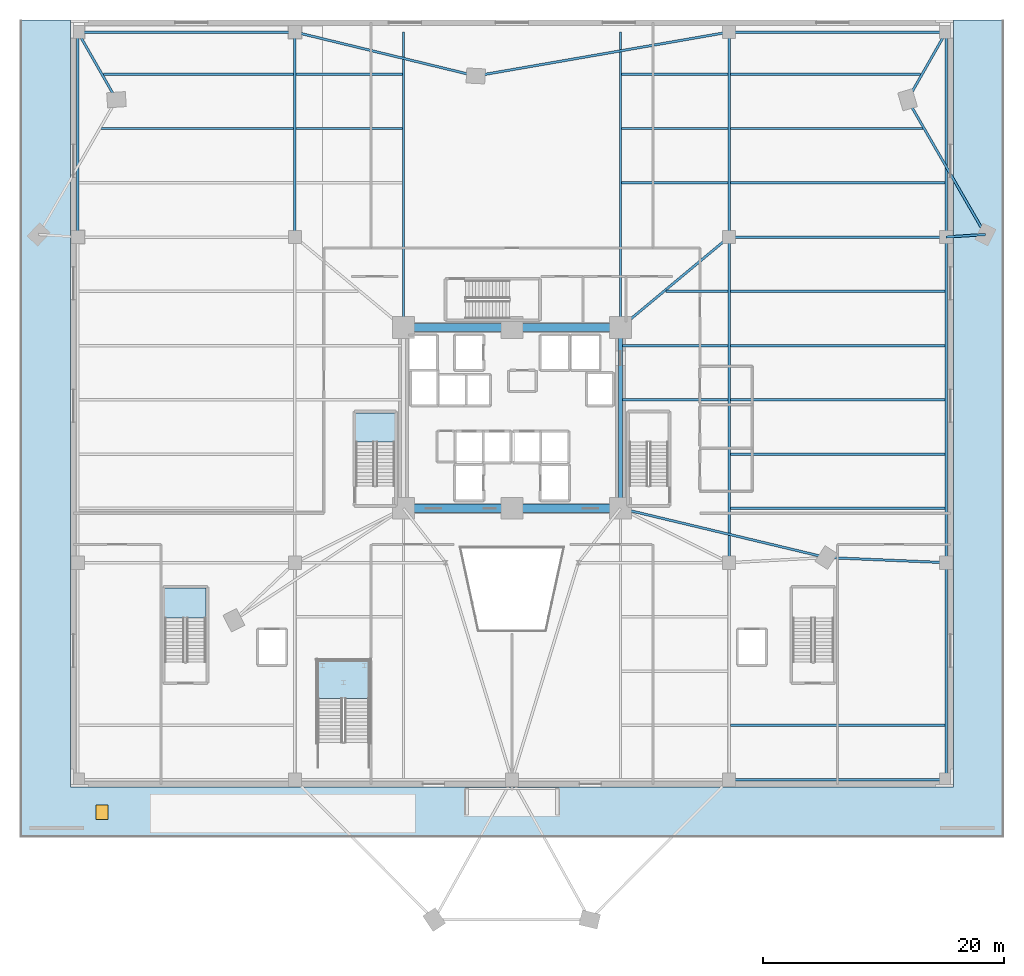
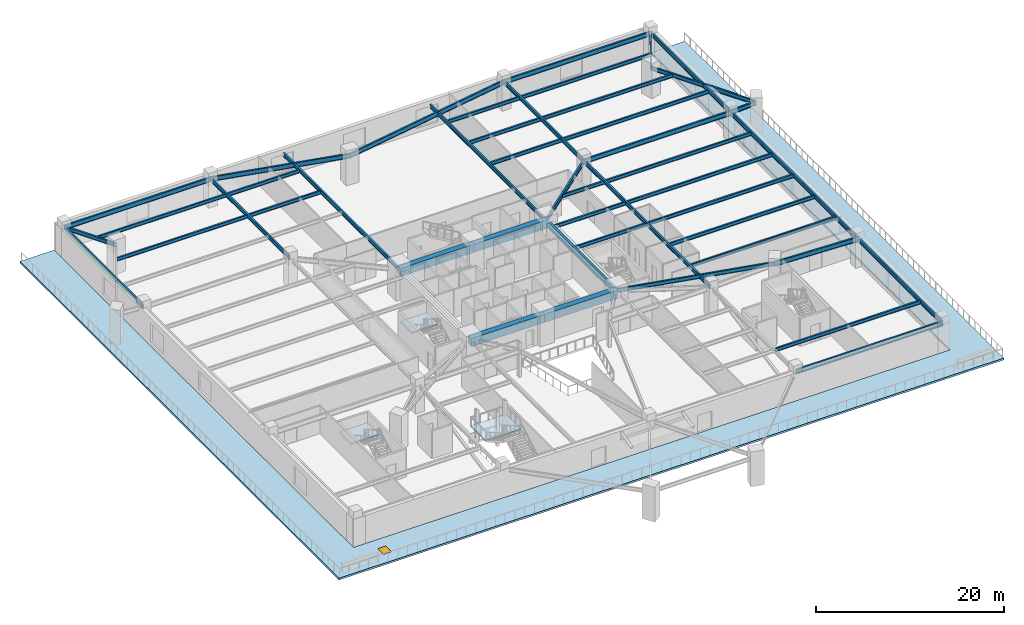
# One storey, part 4 of 19: 46 beams, 4 slabs, 1 door, 1 opening, 3 elements without a shape of their own.
"""IFC4 building model written with IfcOpenShell, lengths in metres."""

import ifcopenshell
import ifcopenshell.guid

model = None  # the IFC model being written
_history = None  # IfcOwnerHistory: only IFC2X3 demands one
_inside = {}  # id of a spatial element -> (the spatial element, [elements in it])
_under = {}  # id of a project, library or spatial element -> (it, [spatial elements below it])
_declared = {}  # id of a project -> (the project, [libraries it declares])
_typed = {}  # id of a type object -> (the type object, [elements of that type])
_made_of = {}  # id of a material, layer set ... -> (it, [elements and type objects made of it])


def new_model(schema):
    """Start an empty IFC model of exactly this schema.

    Asked for "IFC4X3", IfcOpenShell would pick the latest addendum, in which some entities
    have other attributes; the version numbers below select the first issue.
    IFC2X3 requires an IfcOwnerHistory on every rooted entity: one is made here for all.
    """
    global model, _history
    if schema == "IFC4X3":
        model = ifcopenshell.file(schema_version=(4, 3, 0, 0))
    else:
        model = ifcopenshell.file(schema=schema)
    _inside.clear()
    _under.clear()
    _declared.clear()
    _typed.clear()
    _made_of.clear()
    _history = None
    if model.schema == "IFC2X3":
        org = make("IfcOrganization", Name="unknown")
        user = make(
            "IfcPersonAndOrganization",
            ThePerson=make("IfcPerson", FamilyName="unknown"),
            TheOrganization=org,
        )
        app = make(
            "IfcApplication",
            ApplicationDeveloper=org,
            Version="unknown",
            ApplicationFullName="unknown",
            ApplicationIdentifier="unknown",
        )
        _history = make(
            "IfcOwnerHistory",
            OwningUser=user,
            OwningApplication=app,
            ChangeAction="ADDED",
            CreationDate=0,
        )
    return model


def make(cls, **values):
    """One entity of the class cls with the attributes given. An attribute that is None is left unset."""
    return model.create_entity(
        cls, **{name: value for name, value in values.items() if value is not None}
    )


def rooted(cls, **values):
    """An entity with a GlobalId (a new one), such as an element, a storey or a relation."""
    return make(cls, GlobalId=ifcopenshell.guid.new(), OwnerHistory=_history, **values)


def si_unit(unit_type, name, prefix=None):
    """IfcSIUnit, for example si_unit("LENGTHUNIT", "METRE", prefix="MILLI")."""
    return make("IfcSIUnit", UnitType=unit_type, Prefix=prefix, Name=name)


def assignment(units):
    """IfcUnitAssignment: the units of a project."""
    return None if units is None else make("IfcUnitAssignment", Units=units)


def point(xyz):
    """IfcCartesianPoint."""
    return None if xyz is None else make("IfcCartesianPoint", Coordinates=xyz)


def direction(xyz):
    """IfcDirection."""
    return None if xyz is None else make("IfcDirection", DirectionRatios=xyz)


def frame(location, z_axis=None, x_axis=None):
    """IfcAxis2Placement3D, a coordinate frame: its origin and axes. An axis left out is left unset."""
    return make(
        "IfcAxis2Placement3D",
        Location=point(location),
        Axis=direction(z_axis),
        RefDirection=direction(x_axis),
    )


def frame_2d(location, x_axis=None):
    """IfcAxis2Placement2D, a coordinate frame in the plane: its origin and x axis."""
    return make(
        "IfcAxis2Placement2D", Location=point(location), RefDirection=direction(x_axis)
    )


def origin():
    """The frame at (0, 0, 0) with its axes left unset."""
    return frame((0.0, 0.0, 0.0))


def origin_2d():
    """The frame at (0, 0) in the plane with its x axis left unset."""
    return frame_2d((0.0, 0.0))


def place(relative_to, where):
    """IfcLocalPlacement: puts the frame where relative to a parent placement (None: the world)."""
    return make(
        "IfcLocalPlacement", PlacementRelTo=relative_to, RelativePlacement=where
    )


def context(
    kind, dimensions, precision=None, world=None, true_north=None, identifier=None
):
    """IfcGeometricRepresentationContext, for example the 3D "Model" context."""
    return make(
        "IfcGeometricRepresentationContext",
        ContextIdentifier=identifier,
        ContextType=kind,
        CoordinateSpaceDimension=dimensions,
        Precision=precision,
        WorldCoordinateSystem=world,
        TrueNorth=true_north,
    )


def subcontext(parent, identifier, kind, view, scale=None):
    """IfcGeometricRepresentationSubContext, for example "Body" below "Model"."""
    return make(
        "IfcGeometricRepresentationSubContext",
        ContextIdentifier=identifier,
        ContextType=kind,
        ParentContext=parent,
        TargetScale=scale,
        TargetView=view,
    )


def project(units=None, contexts=None):
    """IfcProject with its units and contexts."""
    return rooted(
        "IfcProject",
        Name="project",
        RepresentationContexts=contexts,
        UnitsInContext=assignment(units),
    )


def spatial(cls, under=None, at=None, **own):
    """A site, building, storey or space (cls), placed at a placement, below another one or the project."""
    s = rooted(cls, ObjectPlacement=at, **own)
    if under is not None:
        _under.setdefault(under.id(), (under, []))[1].append(s)
    return s


def polyline(points):
    """IfcPolyline through the points."""
    return make("IfcPolyline", Points=[point(p) for p in points])


def profile(cls, at=None, kind="AREA", **sizes):
    """A parametric profile (cls). Its sizes go by their IFC names, for example OverallWidth=200.0."""
    return make(cls, ProfileType=kind, Position=at, **sizes)


def rectangle(**sizes):
    """IfcRectangleProfileDef."""
    return profile("IfcRectangleProfileDef", **sizes)


def i_section(**sizes):
    """IfcIShapeProfileDef."""
    return profile("IfcIShapeProfileDef", **sizes)


def outline(outer, holes=None, kind="AREA"):
    """IfcArbitraryClosedProfileDef: a profile drawn as a closed curve; with holes, ...WithVoids."""
    if holes is None:
        return make("IfcArbitraryClosedProfileDef", ProfileType=kind, OuterCurve=outer)
    return make(
        "IfcArbitraryProfileDefWithVoids",
        ProfileType=kind,
        OuterCurve=outer,
        InnerCurves=holes,
    )


def extrude(swept, where, along, depth):
    """IfcExtrudedAreaSolid: the profile swept, set in the frame where, extruded along a direction by depth."""
    return make(
        "IfcExtrudedAreaSolid",
        SweptArea=swept,
        Position=where,
        ExtrudedDirection=direction(along),
        Depth=depth,
    )


def shape(context_of_items, identifier, shape_type, items):
    """IfcShapeRepresentation: the items that make up one representation, for example the "Body"."""
    return make(
        "IfcShapeRepresentation",
        ContextOfItems=context_of_items,
        RepresentationIdentifier=identifier,
        RepresentationType=shape_type,
        Items=items,
    )


def source(mapping_origin, context_of_items, identifier, shape_type, items):
    """IfcRepresentationMap: a shape defined once, which mapped items show again and again."""
    return make(
        "IfcRepresentationMap",
        MappingOrigin=mapping_origin,
        MappedRepresentation=shape(context_of_items, identifier, shape_type, items),
    )


def transform(
    local_origin,
    x_axis=None,
    y_axis=None,
    z_axis=None,
    scale=None,
    scale2=None,
    scale3=None,
    uniform=True,
):
    """IfcCartesianTransformationOperator3D, or its non-uniform kind. x_axis, y_axis, z_axis: its Axis1, 2, 3."""
    if uniform:
        return make(
            "IfcCartesianTransformationOperator3D",
            Axis1=direction(x_axis),
            Axis2=direction(y_axis),
            LocalOrigin=point(local_origin),
            Scale=scale,
            Axis3=direction(z_axis),
        )
    return make(
        "IfcCartesianTransformationOperator3DnonUniform",
        Axis1=direction(x_axis),
        Axis2=direction(y_axis),
        LocalOrigin=point(local_origin),
        Scale=scale,
        Axis3=direction(z_axis),
        Scale2=scale2,
        Scale3=scale3,
    )


def mapped(mapping_source, mapping_target):
    """IfcMappedItem: shows the shape of a source again, moved by a transform."""
    return make(
        "IfcMappedItem", MappingSource=mapping_source, MappingTarget=mapping_target
    )


def material(Name=None, Category=None):
    """IfcMaterial."""
    return make("IfcMaterial", Name=Name, Category=Category)


def layer(
    of_material, thickness, ventilated=None, Name=None, Category=None, Priority=None
):
    """IfcMaterialLayer: one layer of a wall or slab, of a material (None: an air gap)."""
    return make(
        "IfcMaterialLayer",
        Material=of_material,
        LayerThickness=thickness,
        IsVentilated=ventilated,
        Name=Name,
        Category=Category,
        Priority=Priority,
    )


def layer_set(layers, Name=None):
    """IfcMaterialLayerSet."""
    return make("IfcMaterialLayerSet", MaterialLayers=layers, LayerSetName=Name)


def material_profile(
    of_material, cross_section, Name=None, Category=None, Priority=None
):
    """IfcMaterialProfile: a cross section and its material."""
    return make(
        "IfcMaterialProfile",
        Name=Name,
        Material=of_material,
        Profile=cross_section,
        Priority=Priority,
        Category=Category,
    )


def profile_set(profiles, Name=None, composite=None):
    """IfcMaterialProfileSet."""
    return make(
        "IfcMaterialProfileSet",
        Name=Name,
        MaterialProfiles=profiles,
        CompositeProfile=composite,
    )


def made_of(thing, what):
    """Note that an element or type object is made of a material, layer set ...; save() writes the relation."""
    if what is not None:
        _made_of.setdefault(what.id(), (what, []))[1].append(thing)
    return thing


def type_object(cls, material=None, **own):
    """A type object (cls), such as IfcWallType, which elements share."""
    return made_of(rooted(cls, **own), material)


def element(
    cls,
    number,
    at=None,
    inside=None,
    cuts=None,
    type_object=None,
    material=None,
    context=None,
    identifier="Body",
    shape_type=None,
    held_by="IfcProductDefinitionShape",
    body=None,
    shapes=None,
    **own,
):
    """One element of the class cls, such as IfcWall. Its Tag is "e" and its number.

    at: its placement. inside: the storey or other place that contains it. cuts: it is an
    opening in that element (IfcRelVoidsElement). A single representation is given by context,
    identifier, shape_type and body (its items); several are given by shapes. held_by: the class
    of the entity that holds the representations. save() writes the other relations.
    """
    e = rooted(cls, Tag="e%d" % number, ObjectPlacement=at, **own)
    if body is not None:
        shapes = [shape(context, identifier, shape_type, body)]
    if shapes is not None:
        e.Representation = make(held_by, Representations=shapes)
    if inside is not None:
        _inside.setdefault(inside.id(), (inside, []))[1].append(e)
    if cuts is not None:
        rooted(
            "IfcRelVoidsElement", RelatingBuildingElement=cuts, RelatedOpeningElement=e
        )
    if type_object is not None:
        _typed.setdefault(type_object.id(), (type_object, []))[1].append(e)
    return made_of(e, material)


def fill(opening, filler):
    """IfcRelFillsElement: the door or window that sits in an opening."""
    return rooted(
        "IfcRelFillsElement",
        RelatingOpeningElement=opening,
        RelatedBuildingElement=filler,
    )


def aggregate(whole, parts):
    """IfcRelAggregates: a whole, such as a stair, and the parts it consists of."""
    return rooted("IfcRelAggregates", RelatingObject=whole, RelatedObjects=parts)


def save(model, path):
    """Write the relations noted so far, then the file.

    IfcRelAggregates (storeys below a building ...), IfcRelContainedInSpatialStructure (elements
    in a storey), IfcRelDefinesByType, IfcRelAssociatesMaterial and IfcRelDeclares: one each for
    every whole, place, type object, material and project.
    """
    for whole, parts in _under.values():
        aggregate(whole, parts)
    for where, things in _inside.values():
        rooted(
            "IfcRelContainedInSpatialStructure",
            RelatedElements=things,
            RelatingStructure=where,
        )
    for kind, things in _typed.values():
        rooted("IfcRelDefinesByType", RelatedObjects=things, RelatingType=kind)
    for what, things in _made_of.values():
        rooted("IfcRelAssociatesMaterial", RelatedObjects=things, RelatingMaterial=what)
    for by, libraries in _declared.values():
        rooted("IfcRelDeclares", RelatingContext=by, RelatedDefinitions=libraries)
    model.write(path)


model = new_model("IFC4")

# Units and contexts
model_context = context("Model", 3, precision=1e-05, world=origin(), true_north=direction((0.0, 1.0)))
body_context = subcontext(model_context, "Body", "Model", "MODEL_VIEW")
ifc_project = project(units=[si_unit("LENGTHUNIT", "METRE"), si_unit("AREAUNIT", "SQUARE_METRE"), si_unit("VOLUMEUNIT", "CUBIC_METRE"), si_unit("PLANEANGLEUNIT", "RADIAN"), si_unit("MASSUNIT", "GRAM", prefix="KILO")], contexts=[model_context])

# Site, building, storey
site_placement = place(None, origin())
site = spatial("IfcSite", under=ifc_project, at=site_placement, CompositionType="ELEMENT")
building_placement = place(site_placement, origin())
building = spatial("IfcBuilding", under=site, at=building_placement, Name="Liaohun Quay Tower", CompositionType="ELEMENT")
storey_placement = place(building_placement, frame((0.0, 0.0, 18.89990234375)))
storey = spatial("IfcBuildingStorey", under=building, at=storey_placement, Name="L05", CompositionType="ELEMENT", Elevation=18.89990234375)

# Beams
ifc_material_1 = material(Name="Concrete C60", Category="concrete")
ifc_material_profile_1 = material_profile(ifc_material_1, rectangle(XDim=0.699951171875, YDim=1.050048828125, at=origin_2d()), Name="RC700x1050")
ifc_profile_set_1 = profile_set([ifc_material_profile_1], Name="Concrete C60")
beam_type_1 = type_object("IfcBeamType", Name="BM-CPL-1", PredefinedType="LINTEL", material=ifc_profile_set_1)
shared_shape_1 = source(origin(), body_context, "Body", "SweptSolid", [
    extrude(rectangle(XDim=0.699951171875, YDim=1.050048828125, at=origin_2d()), origin(), (0.0, 0.0, 1.0), 9.0),
])
for number, where, z_axis, x_axis, name in (
    (1, (51.0, 46.5, 3.0751953125), (1.0, 0.0, 0.0), (0.0, 1.0, 0.0), "L05 Core Coupling/Ring Beam CC1-CC2"),
    (2, (60.0, 46.5, 3.0751953125), (1.0, 0.0, 0.0), (0.0, 1.0, 0.0), "L05 Core Coupling/Ring Beam CC2-CC3"),
    (3, (69.0, 61.5, 3.0751953125), (-1.0, 0.0, 0.0), (0.0, -1.0, 0.0), "L05 Core Coupling/Ring Beam CC4-CC5"),
    (4, (60.0, 61.5, 3.0751953125), (-1.0, 0.0, 0.0), (0.0, -1.0, 0.0), "L05 Core Coupling/Ring Beam CC5-CC6"),
):
    element("IfcBeam", number, at=place(storey_placement, frame(where, z_axis=z_axis, x_axis=x_axis)), inside=storey, type_object=beam_type_1, Name=name, PredefinedType="LINTEL", context=body_context, shape_type="MappedRepresentation", body=[
        mapped(shared_shape_1, transform((0.0, 0.0, 0.0), x_axis=(1.0, 0.0, 0.0), y_axis=(0.0, 1.0, 0.0), z_axis=(0.0, 0.0, 1.0), scale=1.0)),
    ])
ifc_material_2 = material(Name="Steel Q355D", Category="steel")
ifc_material_profile_2 = material_profile(ifc_material_2, i_section(OverallWidth=0.300048828125, OverallDepth=0.800048828125, WebThickness=0.013916015625, FlangeThickness=0.02587890625, at=origin_2d()), Name="HN800x300x14x26")
ifc_profile_set_2 = profile_set([ifc_material_profile_2], Name="Steel Q355D")
beam_type_2 = type_object("IfcBeamType", Name="BM-RAD-M1", PredefinedType="BEAM", material=ifc_profile_set_2)
shared_shape_2 = source(origin(), body_context, "Body", "SweptSolid", [
    extrude(i_section(OverallWidth=0.300048828125, OverallDepth=0.800048828125, WebThickness=0.013916015625, FlangeThickness=0.02587890625, at=origin_2d()), origin(), (0.0, 0.0, 1.0), 15.0),
])
beam_1_placement = place(storey_placement, frame((69.0, 46.5, 3.2001953125), z_axis=(0.0, 1.0, 0.0), x_axis=(-1.0, 0.0, 0.0)))
element("IfcBeam", 5, at=beam_1_placement, inside=storey, type_object=beam_type_2, Name="L05 Core Coupling/Ring Beam CC3-CC4", PredefinedType="BEAM", context=body_context, shape_type="MappedRepresentation", body=[
    mapped(shared_shape_2, transform((0.0, 0.0, 0.0), x_axis=(1.0, 0.0, 0.0), y_axis=(0.0, 1.0, 0.0), z_axis=(0.0, 0.0, 1.0), scale=1.0)),
])
ifc_material_profile_3 = material_profile(ifc_material_2, i_section(OverallWidth=0.199951171875, OverallDepth=0.5, WebThickness=0.010009765625, FlangeThickness=0.01611328125, at=origin_2d()), Name="HN500x200x10x16")
ifc_profile_set_3 = profile_set([ifc_material_profile_3], Name="Steel Q355D")
beam_type_3 = type_object("IfcBeamType", Name="BM-POD-G3", PredefinedType="BEAM", material=ifc_profile_set_3)
shared_shape_3 = source(origin(), body_context, "Body", "SweptSolid", [
    extrude(i_section(OverallWidth=0.199951171875, OverallDepth=0.5, WebThickness=0.010009765625, FlangeThickness=0.01611328125, at=origin_2d()), origin(), (0.0, 0.0, 1.0), 27.0),
])
for number, where, z_axis, x_axis, name in (
    (6, (78.0, 42.0, 3.35009765625), (0.0, 1.0, 0.0), (-1.0, 0.0, 0.0), "L05 Primary Grid Girder PG08-PG12"),
    (7, (96.0, 42.0, 3.35009765625), (0.0, 1.0, 0.0), (-1.0, 0.0, 0.0), "L05 Primary Grid Girder PG09-PG13"),
):
    element("IfcBeam", number, at=place(storey_placement, frame(where, z_axis=z_axis, x_axis=x_axis)), inside=storey, type_object=beam_type_3, Name=name, PredefinedType="BEAM", context=body_context, shape_type="MappedRepresentation", body=[
        mapped(shared_shape_3, transform((0.0, 0.0, 0.0), x_axis=(1.0, 0.0, 0.0), y_axis=(0.0, 1.0, 0.0), z_axis=(0.0, 0.0, 1.0), scale=1.0)),
    ])
shared_shape_4 = source(origin(), body_context, "Body", "SweptSolid", [
    extrude(i_section(OverallWidth=0.199951171875, OverallDepth=0.5, WebThickness=0.010009765625, FlangeThickness=0.01611328125, at=origin_2d()), origin(), (0.0, 0.0, 1.0), 17.0),
])
for number, where, z_axis, x_axis, name in (
    (8, (24.0, 69.0, 3.35009765625), (0.0, 1.0, 0.0), (-1.0, 0.0, 0.0), "L05 Primary Grid Girder PG10-PG14"),
    (9, (42.0, 69.0, 3.35009765625), (0.0, 1.0, 0.0), (-1.0, 0.0, 0.0), "L05 Primary Grid Girder PG11-PG15"),
    (10, (78.0, 69.0, 3.35009765625), (0.0, 1.0, 0.0), (-1.0, 0.0, 0.0), "L05 Primary Grid Girder PG12-PG17"),
    (11, (96.0, 69.0, 3.35009765625), (0.0, 1.0, 0.0), (-1.0, 0.0, 0.0), "L05 Primary Grid Girder PG13-PG18"),
):
    element("IfcBeam", number, at=place(storey_placement, frame(where, z_axis=z_axis, x_axis=x_axis)), inside=storey, type_object=beam_type_3, Name=name, PredefinedType="BEAM", context=body_context, shape_type="MappedRepresentation", body=[
        mapped(shared_shape_4, transform((0.0, 0.0, 0.0), x_axis=(1.0, 0.0, 0.0), y_axis=(0.0, 1.0, 0.0), z_axis=(0.0, 0.0, 1.0), scale=1.0)),
    ])
shared_shape_5 = source(origin(), body_context, "Body", "SweptSolid", [
    extrude(i_section(OverallWidth=0.199951171875, OverallDepth=0.5, WebThickness=0.010009765625, FlangeThickness=0.01611328125, at=origin_2d()), origin(), (0.0, 0.0, 1.0), 18.0),
])
beam_2_placement = place(storey_placement, frame((96.0, 24.0, 3.35009765625), z_axis=(0.0, 1.0, 0.0), x_axis=(-1.0, 0.0, 0.0)))
element("IfcBeam", 12, at=beam_2_placement, inside=storey, type_object=beam_type_3, Name="L05 Primary Grid Girder PG05-PG09", PredefinedType="BEAM", context=body_context, shape_type="MappedRepresentation", body=[
    mapped(shared_shape_5, transform((0.0, 0.0, 0.0), x_axis=(1.0, 0.0, 0.0), y_axis=(0.0, 1.0, 0.0), z_axis=(0.0, 0.0, 1.0), scale=1.0)),
])
shared_shape_6 = source(origin(), body_context, "Body", "SweptSolid", [
    extrude(i_section(OverallWidth=0.199951171875, OverallDepth=0.5, WebThickness=0.010009765625, FlangeThickness=0.01611328125, at=origin_2d()), origin(), (0.0, 0.0, 1.0), 17.544189453125),
])
beam_3_placement = place(storey_placement, frame((86.06396484375, 42.423095703125, 3.35009765625), z_axis=(-0.972625403076, 0.23237862486, 0.0), x_axis=(-0.23237862486, -0.972625403076, 0.0)))
element("IfcBeam", 13, at=beam_3_placement, inside=storey, type_object=beam_type_3, Name="L05 Primary Grid Girder PC10-CC3", PredefinedType="BEAM", context=body_context, shape_type="MappedRepresentation", body=[
    mapped(shared_shape_6, transform((0.0, 0.0, 0.0), x_axis=(1.0, 0.0, 0.0), y_axis=(0.0, 1.0, 0.0), z_axis=(0.0, 0.0, 1.0), scale=1.0)),
])
shared_shape_7 = source(origin(), body_context, "Body", "SweptSolid", [
    extrude(i_section(OverallWidth=0.199951171875, OverallDepth=0.5, WebThickness=0.010009765625, FlangeThickness=0.01611328125, at=origin_2d()), origin(), (0.0, 0.0, 1.0), 6.45703125),
])
beam_4_placement = place(storey_placement, frame((27.198974609375, 80.39111328125, 3.35009765625), z_axis=(-0.49542619565, 0.868650035782, 0.0), x_axis=(-0.868650035782, -0.49542619565, 0.0)))
element("IfcBeam", 14, at=beam_4_placement, inside=storey, type_object=beam_type_3, Name="L05 Primary Grid Girder PC05-PG14", PredefinedType="BEAM", context=body_context, shape_type="MappedRepresentation", body=[
    mapped(shared_shape_7, transform((0.0, 0.0, 0.0), x_axis=(1.0, 0.0, 0.0), y_axis=(0.0, 1.0, 0.0), z_axis=(0.0, 0.0, 1.0), scale=1.0)),
])
shared_shape_8 = source(origin(), body_context, "Body", "SweptSolid", [
    extrude(i_section(OverallWidth=0.199951171875, OverallDepth=0.5, WebThickness=0.010009765625, FlangeThickness=0.01611328125, at=origin_2d()), origin(), (0.0, 0.0, 1.0), 6.462158203125),
])
beam_5_placement = place(storey_placement, frame((92.802978515625, 80.384033203125, 3.35009765625), z_axis=(0.494726480393, 0.869048738333, 0.0), x_axis=(-0.869048738333, 0.494726480393, 0.0)))
element("IfcBeam", 15, at=beam_5_placement, inside=storey, type_object=beam_type_3, Name="L05 Primary Grid Girder PC07-PG18", PredefinedType="BEAM", context=body_context, shape_type="MappedRepresentation", body=[
    mapped(shared_shape_8, transform((0.0, 0.0, 0.0), x_axis=(1.0, 0.0, 0.0), y_axis=(0.0, 1.0, 0.0), z_axis=(0.0, 0.0, 1.0), scale=1.0)),
])
shared_shape_9 = source(origin(), body_context, "Body", "SweptSolid", [
    extrude(i_section(OverallWidth=0.199951171875, OverallDepth=0.5, WebThickness=0.010009765625, FlangeThickness=0.01611328125, at=origin_2d()), origin(), (0.0, 0.0, 1.0), 3.262939453125),
])
beam_6_placement = place(storey_placement, frame((99.256103515625, 69.2119140625, 3.35009765625), z_axis=(-0.997888864182, -0.064944705264, 0.0), x_axis=(0.064944705264, -0.997888864182, 0.0)))
element("IfcBeam", 16, at=beam_6_placement, inside=storey, type_object=beam_type_3, Name="L05 Primary Grid Girder PC09-PG13", PredefinedType="BEAM", context=body_context, shape_type="MappedRepresentation", body=[
    mapped(shared_shape_9, transform((0.0, 0.0, 0.0), x_axis=(1.0, 0.0, 0.0), y_axis=(0.0, 1.0, 0.0), z_axis=(0.0, 0.0, 1.0), scale=1.0)),
])
shared_shape_10 = source(origin(), body_context, "Body", "SweptSolid", [
    extrude(i_section(OverallWidth=0.199951171875, OverallDepth=0.5, WebThickness=0.010009765625, FlangeThickness=0.01611328125, at=origin_2d()), origin(), (0.0, 0.0, 1.0), 12.90185546875),
])
beam_7_placement = place(storey_placement, frame((92.802978515625, 80.384033203125, 3.35009765625), z_axis=(0.500168512593, -0.865928091131, 0.0), x_axis=(0.865928091131, 0.500168512593, 0.0)))
element("IfcBeam", 17, at=beam_7_placement, inside=storey, type_object=beam_type_3, Name="L05 Primary Grid Girder PC07-PC09", PredefinedType="BEAM", context=body_context, shape_type="MappedRepresentation", body=[
    mapped(shared_shape_10, transform((0.0, 0.0, 0.0), x_axis=(1.0, 0.0, 0.0), y_axis=(0.0, 1.0, 0.0), z_axis=(0.0, 0.0, 1.0), scale=1.0)),
])
ifc_material_profile_4 = material_profile(ifc_material_2, i_section(OverallWidth=0.199951171875, OverallDepth=0.449951171875, WebThickness=0.009033203125, FlangeThickness=0.013916015625, at=origin_2d()), Name="HN450x200x9x14")
ifc_profile_set_4 = profile_set([ifc_material_profile_4], Name="Steel Q355D")
beam_type_4 = type_object("IfcBeamType", Name="BM-SEC-J1", PredefinedType="JOIST", material=ifc_profile_set_4)
shared_shape_11 = source(origin(), body_context, "Body", "SweptSolid", [
    extrude(i_section(OverallWidth=0.199951171875, OverallDepth=0.449951171875, WebThickness=0.009033203125, FlangeThickness=0.013916015625, at=origin_2d()), origin(), (0.0, 0.0, 1.0), 8.7998046875),
])
for number, where, z_axis, x_axis, name in (
    (18, (42.10009765625, 78.0, 3.375), (1.0, 0.0, 0.0), (0.0, 1.0, 0.0), "L05 Composite Floor Joist SJ-21"),
    (19, (42.10009765625, 82.5, 3.375), (1.0, 0.0, 0.0), (0.0, 1.0, 0.0), "L05 Composite Floor Joist SJ-22"),
    (20, (69.10009765625, 73.5, 3.375), (1.0, 0.0, 0.0), (0.0, 1.0, 0.0), "L05 Composite Floor Joist SJ-31"),
    (21, (69.10009765625, 78.0, 3.375), (1.0, 0.0, 0.0), (0.0, 1.0, 0.0), "L05 Composite Floor Joist SJ-32"),
    (22, (69.10009765625, 82.5, 3.375), (1.0, 0.0, 0.0), (0.0, 1.0, 0.0), "L05 Composite Floor Joist SJ-33"),
):
    element("IfcBeam", number, at=place(storey_placement, frame(where, z_axis=z_axis, x_axis=x_axis)), inside=storey, type_object=beam_type_4, Name=name, PredefinedType="JOIST", context=body_context, shape_type="MappedRepresentation", body=[
        mapped(shared_shape_11, transform((0.0, 0.0, 0.0), x_axis=(1.0, 0.0, 0.0), y_axis=(0.0, 1.0, 0.0), z_axis=(0.0, 0.0, 1.0), scale=1.0)),
    ])
shared_shape_12 = source(origin(), body_context, "Body", "SweptSolid", [
    extrude(i_section(OverallWidth=0.199951171875, OverallDepth=0.449951171875, WebThickness=0.009033203125, FlangeThickness=0.013916015625, at=origin_2d()), origin(), (0.0, 0.0, 1.0), 17.7998046875),
])
for number, where, z_axis, x_axis, name in (
    (23, (78.10009765625, 28.5, 3.375), (1.0, 0.0, 0.0), (0.0, 1.0, 0.0), "L05 Composite Floor Joist SJ-34"),
    (24, (78.10009765625, 46.5, 3.375), (1.0, 0.0, 0.0), (0.0, 1.0, 0.0), "L05 Composite Floor Joist SJ-37"),
    (25, (78.10009765625, 51.0, 3.375), (1.0, 0.0, 0.0), (0.0, 1.0, 0.0), "L05 Composite Floor Joist SJ-38"),
    (26, (78.10009765625, 55.5, 3.375), (1.0, 0.0, 0.0), (0.0, 1.0, 0.0), "L05 Composite Floor Joist SJ-39"),
    (27, (78.10009765625, 60.0, 3.375), (1.0, 0.0, 0.0), (0.0, 1.0, 0.0), "L05 Composite Floor Joist SJ-40"),
    (28, (78.10009765625, 64.5, 3.375), (1.0, 0.0, 0.0), (0.0, 1.0, 0.0), "L05 Composite Floor Joist SJ-41"),
    (29, (78.10009765625, 73.5, 3.375), (1.0, 0.0, 0.0), (0.0, 1.0, 0.0), "L05 Composite Floor Joist SJ-42"),
):
    element("IfcBeam", number, at=place(storey_placement, frame(where, z_axis=z_axis, x_axis=x_axis)), inside=storey, type_object=beam_type_4, Name=name, PredefinedType="JOIST", context=body_context, shape_type="MappedRepresentation", body=[
        mapped(shared_shape_12, transform((0.0, 0.0, 0.0), x_axis=(1.0, 0.0, 0.0), y_axis=(0.0, 1.0, 0.0), z_axis=(0.0, 0.0, 1.0), scale=1.0)),
    ])
shared_shape_13 = source(origin(), body_context, "Body", "SweptSolid", [
    extrude(i_section(OverallWidth=0.199951171875, OverallDepth=0.449951171875, WebThickness=0.009033203125, FlangeThickness=0.013916015625, at=origin_2d()), origin(), (0.0, 0.0, 1.0), 15.9658203125),
])
beam_8_placement = place(storey_placement, frame((25.93408203125, 78.0, 3.375), z_axis=(1.0, 0.0, 0.0), x_axis=(0.0, 1.0, 0.0)))
element("IfcBeam", 30, at=beam_8_placement, inside=storey, type_object=beam_type_4, Name="L05 Composite Floor Joist SJ-10", PredefinedType="JOIST", context=body_context, shape_type="MappedRepresentation", body=[
    mapped(shared_shape_13, transform((0.0, 0.0, 0.0), x_axis=(1.0, 0.0, 0.0), y_axis=(0.0, 1.0, 0.0), z_axis=(0.0, 0.0, 1.0), scale=1.0)),
])
shared_shape_14 = source(origin(), body_context, "Body", "SweptSolid", [
    extrude(i_section(OverallWidth=0.199951171875, OverallDepth=0.449951171875, WebThickness=0.009033203125, FlangeThickness=0.013916015625, at=origin_2d()), origin(), (0.0, 0.0, 1.0), 15.788818359375),
])
beam_9_placement = place(storey_placement, frame((26.111083984375, 82.5, 3.375), z_axis=(1.0, 0.0, 0.0), x_axis=(0.0, 1.0, 0.0)))
element("IfcBeam", 31, at=beam_9_placement, inside=storey, type_object=beam_type_4, Name="L05 Composite Floor Joist SJ-11", PredefinedType="JOIST", context=body_context, shape_type="MappedRepresentation", body=[
    mapped(shared_shape_14, transform((0.0, 0.0, 0.0), x_axis=(1.0, 0.0, 0.0), y_axis=(0.0, 1.0, 0.0), z_axis=(0.0, 0.0, 1.0), scale=1.0)),
])
shared_shape_15 = source(origin(), body_context, "Body", "SweptSolid", [
    extrude(i_section(OverallWidth=0.199951171875, OverallDepth=0.449951171875, WebThickness=0.009033203125, FlangeThickness=0.013916015625, at=origin_2d()), origin(), (0.0, 0.0, 1.0), 8.75),
])
for number, where, z_axis, x_axis, name in (
    (32, (69.14990234375, 55.5, 3.375), (1.0, 0.0, 0.0), (0.0, 1.0, 0.0), "L05 Composite Floor Joist SJ-28"),
    (33, (69.14990234375, 60.0, 3.375), (1.0, 0.0, 0.0), (0.0, 1.0, 0.0), "L05 Composite Floor Joist SJ-29"),
):
    element("IfcBeam", number, at=place(storey_placement, frame(where, z_axis=z_axis, x_axis=x_axis)), inside=storey, type_object=beam_type_4, Name=name, PredefinedType="JOIST", context=body_context, shape_type="MappedRepresentation", body=[
        mapped(shared_shape_15, transform((0.0, 0.0, 0.0), x_axis=(1.0, 0.0, 0.0), y_axis=(0.0, 1.0, 0.0), z_axis=(0.0, 0.0, 1.0), scale=1.0)),
    ])
shared_shape_16 = source(origin(), body_context, "Body", "SweptSolid", [
    extrude(i_section(OverallWidth=0.199951171875, OverallDepth=0.449951171875, WebThickness=0.009033203125, FlangeThickness=0.013916015625, at=origin_2d()), origin(), (0.0, 0.0, 1.0), 15.96484375),
])
beam_10_placement = place(storey_placement, frame((78.10009765625, 78.0, 3.375), z_axis=(1.0, 0.0, 0.0), x_axis=(0.0, 1.0, 0.0)))
element("IfcBeam", 34, at=beam_10_placement, inside=storey, type_object=beam_type_4, Name="L05 Composite Floor Joist SJ-43", PredefinedType="JOIST", context=body_context, shape_type="MappedRepresentation", body=[
    mapped(shared_shape_16, transform((0.0, 0.0, 0.0), x_axis=(1.0, 0.0, 0.0), y_axis=(0.0, 1.0, 0.0), z_axis=(0.0, 0.0, 1.0), scale=1.0)),
])
shared_shape_17 = source(origin(), body_context, "Body", "SweptSolid", [
    extrude(i_section(OverallWidth=0.199951171875, OverallDepth=0.449951171875, WebThickness=0.009033203125, FlangeThickness=0.013916015625, at=origin_2d()), origin(), (0.0, 0.0, 1.0), 15.7919921875),
])
beam_11_placement = place(storey_placement, frame((78.10009765625, 82.5, 3.375), z_axis=(1.0, 0.0, 0.0), x_axis=(0.0, 1.0, 0.0)))
element("IfcBeam", 35, at=beam_11_placement, inside=storey, type_object=beam_type_4, Name="L05 Composite Floor Joist SJ-44", PredefinedType="JOIST", context=body_context, shape_type="MappedRepresentation", body=[
    mapped(shared_shape_17, transform((0.0, 0.0, 0.0), x_axis=(1.0, 0.0, 0.0), y_axis=(0.0, 1.0, 0.0), z_axis=(0.0, 0.0, 1.0), scale=1.0)),
])
ifc_material_profile_5 = material_profile(ifc_material_2, i_section(OverallWidth=0.199951171875, OverallDepth=0.60009765625, WebThickness=0.010986328125, FlangeThickness=0.01708984375, at=origin_2d()), Name="HN600x200x11x17")
ifc_profile_set_5 = profile_set([ifc_material_profile_5], Name="Steel Q355D")
beam_type_5 = type_object("IfcBeamType", Name="BM-POD-G1", PredefinedType="BEAM", material=ifc_profile_set_5)
shared_shape_18 = source(origin(), body_context, "Body", "SweptSolid", [
    extrude(i_section(OverallWidth=0.199951171875, OverallDepth=0.60009765625, WebThickness=0.010986328125, FlangeThickness=0.01708984375, at=origin_2d()), origin(), (0.0, 0.0, 1.0), 18.0),
])
for number, where, z_axis, x_axis, name in (
    (36, (78.0, 24.0, 3.300048828125), (1.0, 0.0, 0.0), (0.0, 1.0, 0.0), "L05 Primary Grid Girder PG04-PG05"),
    (37, (78.0, 69.0, 3.300048828125), (1.0, 0.0, 0.0), (0.0, 1.0, 0.0), "L05 Primary Grid Girder PG12-PG13"),
    (38, (24.0, 86.0, 3.300048828125), (1.0, 0.0, 0.0), (0.0, 1.0, 0.0), "L05 Primary Grid Girder PG14-PG15"),
    (39, (78.0, 86.0, 3.300048828125), (1.0, 0.0, 0.0), (0.0, 1.0, 0.0), "L05 Primary Grid Girder PG17-PG18"),
):
    element("IfcBeam", number, at=place(storey_placement, frame(where, z_axis=z_axis, x_axis=x_axis)), inside=storey, type_object=beam_type_5, Name=name, PredefinedType="BEAM", context=body_context, shape_type="MappedRepresentation", body=[
        mapped(shared_shape_18, transform((0.0, 0.0, 0.0), x_axis=(1.0, 0.0, 0.0), y_axis=(0.0, 1.0, 0.0), z_axis=(0.0, 0.0, 1.0), scale=1.0)),
    ])
shared_shape_19 = source(origin(), body_context, "Body", "SweptSolid", [
    extrude(i_section(OverallWidth=0.199951171875, OverallDepth=0.60009765625, WebThickness=0.010986328125, FlangeThickness=0.01708984375, at=origin_2d()), origin(), (0.0, 0.0, 1.0), 9.945068359375),
])
beam_12_placement = place(storey_placement, frame((86.06396484375, 42.423095703125, 3.300048828125), z_axis=(0.999094620033, -0.042543392219, 0.0), x_axis=(0.042543392219, 0.999094620033, 0.0)))
element("IfcBeam", 40, at=beam_12_placement, inside=storey, type_object=beam_type_5, Name="L05 Primary Grid Girder PC10-PG09", PredefinedType="BEAM", context=body_context, shape_type="MappedRepresentation", body=[
    mapped(shared_shape_19, transform((0.0, 0.0, 0.0), x_axis=(1.0, 0.0, 0.0), y_axis=(0.0, 1.0, 0.0), z_axis=(0.0, 0.0, 1.0), scale=1.0)),
])
shared_shape_20 = source(origin(), body_context, "Body", "SweptSolid", [
    extrude(i_section(OverallWidth=0.199951171875, OverallDepth=0.60009765625, WebThickness=0.010986328125, FlangeThickness=0.01708984375, at=origin_2d()), origin(), (0.0, 0.0, 1.0), 11.71533203125),
])
beam_13_placement = place(storey_placement, frame((69.0, 61.5, 3.300048828125), z_axis=(0.768221279597, 0.640184399664, 0.0), x_axis=(-0.640184399664, 0.768221279597, 0.0)))
element("IfcBeam", 41, at=beam_13_placement, inside=storey, type_object=beam_type_5, Name="L05 Primary Grid Girder CC4-PG12", PredefinedType="BEAM", context=body_context, shape_type="MappedRepresentation", body=[
    mapped(shared_shape_20, transform((0.0, 0.0, 0.0), x_axis=(1.0, 0.0, 0.0), y_axis=(0.0, 1.0, 0.0), z_axis=(0.0, 0.0, 1.0), scale=1.0)),
])
shared_shape_21 = source(origin(), body_context, "Body", "SweptSolid", [
    extrude(i_section(OverallWidth=0.199951171875, OverallDepth=0.60009765625, WebThickness=0.010986328125, FlangeThickness=0.01708984375, at=origin_2d()), origin(), (0.0, 0.0, 1.0), 15.4306640625),
])
beam_14_placement = place(storey_placement, frame((42.0, 86.0, 3.300048828125), z_axis=(0.971780133719, -0.235888473032, 0.0), x_axis=(0.235888473032, 0.971780133719, 0.0)))
element("IfcBeam", 42, at=beam_14_placement, inside=storey, type_object=beam_type_5, Name="L05 Primary Grid Girder PG15-PC06", PredefinedType="BEAM", context=body_context, shape_type="MappedRepresentation", body=[
    mapped(shared_shape_21, transform((0.0, 0.0, 0.0), x_axis=(1.0, 0.0, 0.0), y_axis=(0.0, 1.0, 0.0), z_axis=(0.0, 0.0, 1.0), scale=1.0)),
])
shared_shape_22 = source(origin(), body_context, "Body", "SweptSolid", [
    extrude(i_section(OverallWidth=0.199951171875, OverallDepth=0.60009765625, WebThickness=0.010986328125, FlangeThickness=0.01708984375, at=origin_2d()), origin(), (0.0, 0.0, 1.0), 21.31787109375),
])
beam_15_placement = place(storey_placement, frame((56.9951171875, 82.360107421875, 3.300048828125), z_axis=(0.985315548274, 0.170743287801, 0.0), x_axis=(-0.170743287801, 0.985315548274, 0.0)))
element("IfcBeam", 43, at=beam_15_placement, inside=storey, type_object=beam_type_5, Name="L05 Primary Grid Girder PC06-PG17", PredefinedType="BEAM", context=body_context, shape_type="MappedRepresentation", body=[
    mapped(shared_shape_22, transform((0.0, 0.0, 0.0), x_axis=(1.0, 0.0, 0.0), y_axis=(0.0, 1.0, 0.0), z_axis=(0.0, 0.0, 1.0), scale=1.0)),
])
shared_shape_23 = source(origin(), body_context, "Body", "SweptSolid", [
    extrude(i_section(OverallWidth=0.199951171875, OverallDepth=0.449951171875, WebThickness=0.009033203125, FlangeThickness=0.013916015625, at=origin_2d()), origin(), (0.0, 0.0, 1.0), 5.143798828125),
])
beam_16_placement = place(storey_placement, frame((72.756103515625, 64.5, 3.375), z_axis=(1.0, 0.0, 0.0), x_axis=(0.0, 1.0, 0.0)))
element("IfcBeam", 44, at=beam_16_placement, inside=storey, type_object=beam_type_4, Name="L05 Composite Floor Joist SJ-30", PredefinedType="JOIST", context=body_context, shape_type="MappedRepresentation", body=[
    mapped(shared_shape_23, transform((0.0, 0.0, 0.0), x_axis=(1.0, 0.0, 0.0), y_axis=(0.0, 1.0, 0.0), z_axis=(0.0, 0.0, 1.0), scale=1.0)),
])
shared_shape_24 = source(origin(), body_context, "Body", "SweptSolid", [
    extrude(i_section(OverallWidth=0.199951171875, OverallDepth=0.5, WebThickness=0.010009765625, FlangeThickness=0.01611328125, at=origin_2d()), origin(), (0.0, 0.0, 1.0), 24.5),
])
for number, where, z_axis, x_axis, name in (
    (45, (51.0, 61.5, 3.35009765625), (0.0, 1.0, 0.0), (-1.0, 0.0, 0.0), "L05 Spine Girder X51-N"),
    (46, (69.0, 61.5, 3.35009765625), (0.0, 1.0, 0.0), (-1.0, 0.0, 0.0), "L05 Spine Girder X69-N"),
):
    element("IfcBeam", number, at=place(storey_placement, frame(where, z_axis=z_axis, x_axis=x_axis)), inside=storey, type_object=beam_type_3, Name=name, PredefinedType="BEAM", context=body_context, shape_type="MappedRepresentation", body=[
        mapped(shared_shape_24, transform((0.0, 0.0, 0.0), x_axis=(1.0, 0.0, 0.0), y_axis=(0.0, 1.0, 0.0), z_axis=(0.0, 0.0, 1.0), scale=1.0)),
    ])

# Stair, slab
ifc_material_3 = material(Name="Concrete C45", Category="concrete")
stair_type_1 = type_object("IfcStairType", Name="STR-CORE-TALL", PredefinedType="HALF_TURN_STAIR", material=ifc_material_3)
stair_1_placement = place(storey_placement, origin())
stair_1 = element("IfcStair", 47, at=stair_1_placement, inside=storey, type_object=stair_type_1, Name="L05 Smokeproof Core Exit Stair ST-1", PredefinedType="HALF_TURN_STAIR")
ifc_layer_1 = layer(ifc_material_3, 0.199951171875, Name="Concrete C45", Category="concrete")
ifc_layer_set_1 = layer_set([ifc_layer_1], Name="Concrete C45")
slab_type_1 = type_object("IfcSlabType", Name="SLB-LND-200", PredefinedType="LANDING", material=ifc_layer_set_1)
slab_1_placement = place(storey_placement, frame((0.0, 0.0, 2.050048828125)))
slab_1 = element("IfcSlab", 48, at=slab_1_placement, type_object=slab_type_1, Name="ST-1 landing 1", PredefinedType="LANDING", context=body_context, shape_type="SweptSolid", body=[
    extrude(outline(polyline([(50.280029296875, 51.989990234375), (50.280029296875, 54.419921875), (47.0400390625, 54.419921875), (47.0400390625, 51.989990234375), (50.280029296875, 51.989990234375)])), origin(), (0.0, 0.0, 1.0), 0.199951171875),
])
aggregate(stair_1, [slab_1])

stair_type_2 = type_object("IfcStairType", Name="STR-POD-EXIT", PredefinedType="TWO_STRAIGHT_RUN_STAIR", material=ifc_material_3)
stair_2_placement = place(storey_placement, origin())
stair_2 = element("IfcStair", 49, at=stair_2_placement, inside=storey, type_object=stair_type_2, Name="L05 Podium Smokeproof Exit Stair ST-P1", PredefinedType="TWO_STRAIGHT_RUN_STAIR")
slab_2_placement = place(storey_placement, frame((0.0, 0.0, 2.050048828125)))
slab_2 = element("IfcSlab", 50, at=slab_2_placement, type_object=slab_type_1, Name="ST-P1 landing 1", PredefinedType="LANDING", context=body_context, shape_type="SweptSolid", body=[
    extrude(outline(polyline([(34.639892578125, 37.389892578125), (34.639892578125, 39.89990234375), (31.199951171875, 39.89990234375), (31.199951171875, 37.389892578125), (34.639892578125, 37.389892578125)])), origin(), (0.0, 0.0, 1.0), 0.199951171875),
])
aggregate(stair_2, [slab_2])

ifc_material_4 = material(Name="Precast concrete C50", Category="concrete")
stair_type_3 = type_object("IfcStairType", Name="STR-MON-ATR", PredefinedType="STRAIGHT_RUN_STAIR", material=ifc_material_4)
stair_3_placement = place(storey_placement, origin())
stair_3 = element("IfcStair", 51, at=stair_3_placement, inside=storey, type_object=stair_type_3, Name="L05 Monumental Atrium Feature Stair ST-A", PredefinedType="STRAIGHT_RUN_STAIR")
slab_3_placement = place(storey_placement, frame((0.0, 0.0, 2.050048828125)))
slab_3 = element("IfcSlab", 52, at=slab_3_placement, type_object=slab_type_1, Name="ST-A landing 1", PredefinedType="LANDING", context=body_context, shape_type="SweptSolid", body=[
    extrude(outline(polyline([(48.199951171875, 30.739990234375), (48.199951171875, 33.89990234375), (43.860107421875, 33.89990234375), (43.860107421875, 30.739990234375), (48.199951171875, 30.739990234375)])), origin(), (0.0, 0.0, 1.0), 0.199951171875),
])
aggregate(stair_3, [slab_3])

# Slab, opening, door
ifc_material_5 = material(Name="Concrete C50", Category="concrete")
ifc_layer_2 = layer(ifc_material_5, 0.239990234375, Name="Concrete C50", Category="concrete")
ifc_layer_set_2 = layer_set([ifc_layer_2], Name="Concrete C50")
slab_type_2 = type_object("IfcSlabType", Name="SLB-TER-240", PredefinedType="ROOF", material=ifc_layer_set_2)
slab_4_placement = place(storey_placement, frame((0.0, 0.0, -0.239990234375)))
slab_4 = element("IfcSlab", 53, at=slab_4_placement, inside=storey, type_object=slab_type_2, Name="L05 Waterfront Stepped Terrace Slab", PredefinedType="ROOF", context=body_context, shape_type="SweptSolid", body=[
    extrude(outline(polyline([(96.610107421875, 87.0), (96.610107421875, 23.389892578125), (23.389892578125, 23.389892578125), (23.389892578125, 87.0), (19.199951171875, 87.0), (19.199951171875, 19.199951171875), (100.800048828125, 19.199951171875), (100.800048828125, 87.0), (96.610107421875, 87.0)])), origin(), (0.0, 0.0, 1.0), 0.239990234375),
])
opening_placement = place(slab_4_placement, frame((26.0, 21.300048828125, 0.0)))
opening = element("IfcOpeningElement", 54, at=opening_placement, cuts=slab_4, Name="Opening HD1", PredefinedType="OPENING", context=body_context, shape_type="SweptSolid", body=[
    extrude(rectangle(XDim=1.0, YDim=1.199951171875, at=origin_2d()), origin(), (0.0, 0.0, 1.0), 0.239990234375),
])
ifc_material_6 = material(Name="Insulated aluminium roof access hatch", Category="aluminium")
door_type = type_object("IfcDoorType", Name="DOR-HTC-1000", OperationType="SINGLE_SWING_LEFT", PredefinedType="TRAPDOOR", material=ifc_material_6)
door_placement = place(opening_placement, frame((0.0, 0.0, 0.18994140625)))
door = element("IfcDoor", 55, at=door_placement, inside=storey, type_object=door_type, Name="L05 Podium Terrace Inspection Hatch", OperationType="SINGLE_SWING_LEFT", OverallHeight=1.199951171875, OverallWidth=1.0, PredefinedType="TRAPDOOR", context=body_context, shape_type="SweptSolid", body=[
    extrude(rectangle(XDim=1.0, YDim=1.199951171875, at=origin_2d()), origin(), (0.0, 0.0, 1.0), 0.050048828125),
])
fill(opening, door)

save(model, "model.ifc")
